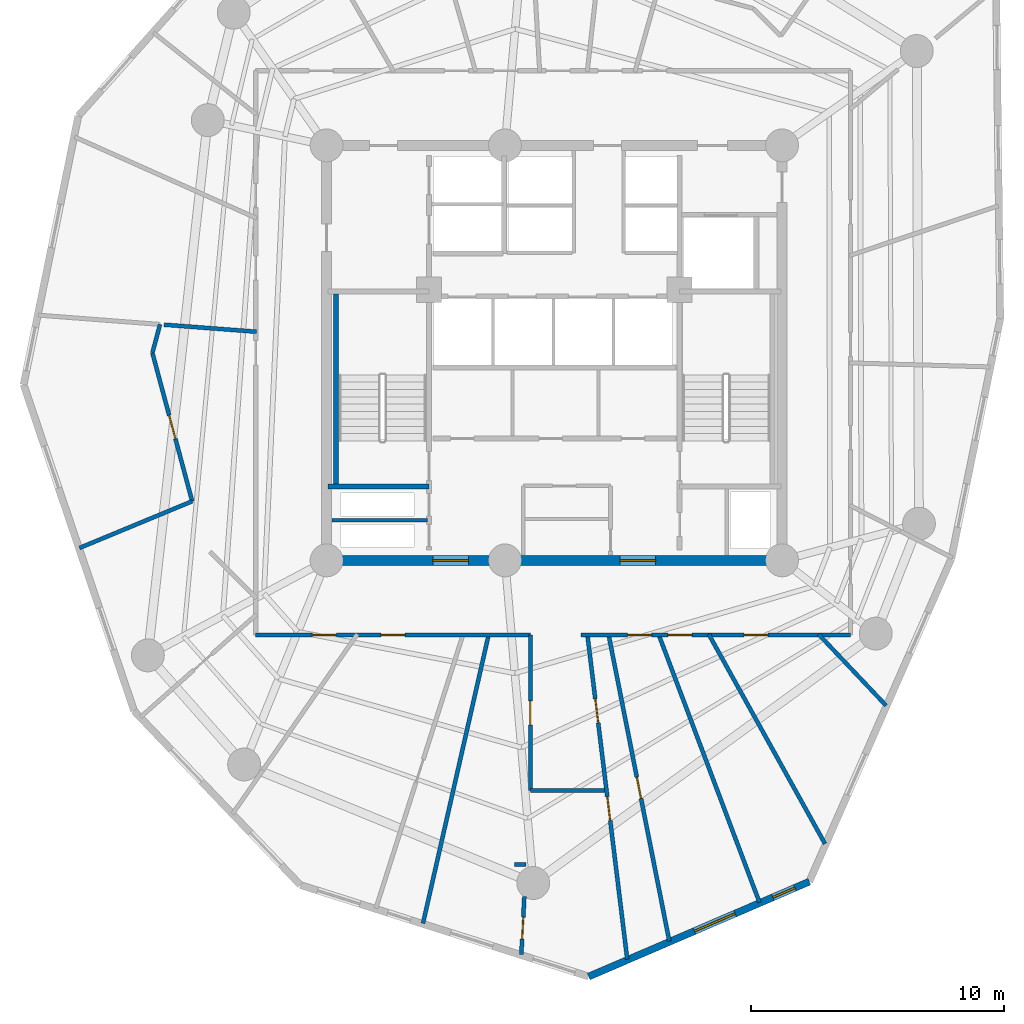
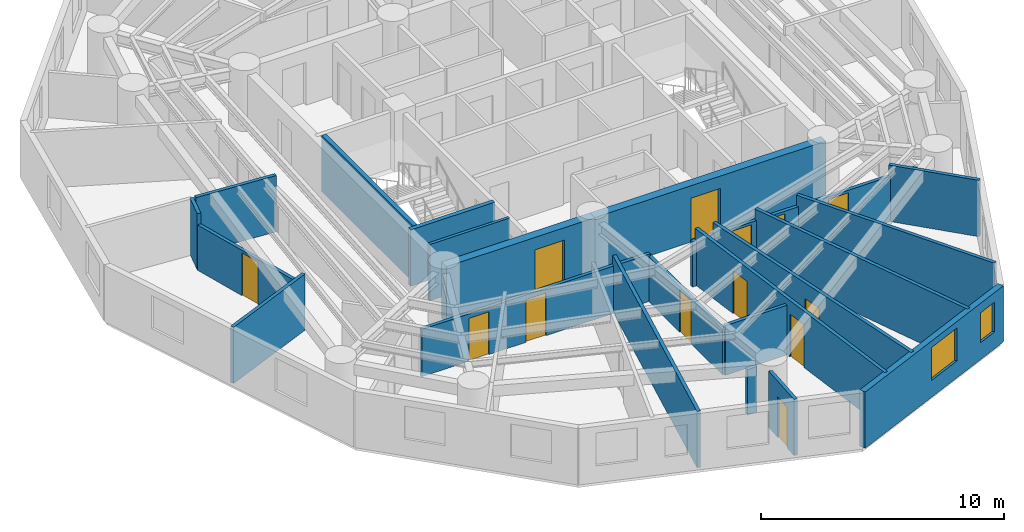
# One storey, part 3 of 8: 22 walls, 13 doors, 2 windows, 15 openings.
"""IFC4 building model written with IfcOpenShell, lengths in metres."""

from ifc_helpers import new_model, si_unit, direction, frame, frame_2d, origin, origin_with_axes, place, context, subcontext, project, spatial, rectangle, extrude, source, transform, mapped, material, layer, layer_set, type_object, element, fill, save


model = new_model("IFC4")

# Units and contexts
model_context = context("Model", 3, precision=1e-05, world=origin(), true_north=direction((0.0, 1.0)))
body_context = subcontext(model_context, "Body", "Model", "MODEL_VIEW")
ifc_project = project(units=[si_unit("LENGTHUNIT", "METRE"), si_unit("AREAUNIT", "SQUARE_METRE"), si_unit("VOLUMEUNIT", "CUBIC_METRE"), si_unit("PLANEANGLEUNIT", "RADIAN"), si_unit("MASSUNIT", "GRAM", prefix="KILO")], contexts=[model_context])

# Site, building, storey
site_placement = place(None, origin())
site = spatial("IfcSite", under=ifc_project, at=site_placement, CompositionType="ELEMENT")
building_placement = place(site_placement, origin())
building = spatial("IfcBuilding", under=site, at=building_placement, Name="Karkom Vertical University and Central Library", CompositionType="ELEMENT")
storey_placement = place(building_placement, frame((0.0, 0.0, 159.60009765625)))
storey = spatial("IfcBuildingStorey", under=building, at=storey_placement, Name="L45", CompositionType="ELEMENT", Elevation=159.60009765625)

# Wall, openings, windows
ifc_material_1 = material(Name="Brick-faced precast concrete C45/55", Category="masonry")
ifc_layer_1 = layer(ifc_material_1, 0.280029296875)
ifc_layer_set_1 = layer_set([ifc_layer_1], Name="Brick-faced precast concrete C45/55")
wall_type_1 = type_object("IfcWallType", Name="ENV-WL-BRK-280", PredefinedType="SOLIDWALL", material=ifc_layer_set_1)
wall_1_placement = place(storey_placement, frame((29.858642578125, 1.85009765625, 0.0), z_axis=(0.0, 0.0, 1.0), x_axis=(0.918558864139, 0.39528421814, 0.0)))
wall_1 = element("IfcWall", 1, at=wall_1_placement, inside=storey, type_object=wall_type_1, Name="Level 45 Brick-Faced Precast Facade Wall 05", PredefinedType="SOLIDWALL", context=body_context, shape_type="SweptSolid", body=[
    extrude(rectangle(XDim=9.49560546875, YDim=0.280029296875, at=frame_2d((4.747802734375, 0.0))), origin(), (0.0, 0.0, 1.0), 2.824951171875),
])
opening_1_placement = place(wall_1_placement, frame((4.549072265625, 0.0, 0.85009765625)))
opening_1 = element("IfcOpeningElement", 2, at=opening_1_placement, cuts=wall_1, Name="Opening WN-08", PredefinedType="OPENING", context=body_context, shape_type="SweptSolid", body=[
    extrude(rectangle(XDim=1.75, YDim=1.64990234375, at=frame_2d((0.875, 0.824951171875))), frame((0.0, 0.14990234375, 0.0), z_axis=(0.0, -1.0, 0.0), x_axis=(1.0, 0.0, 0.0)), (0.0, 0.0, 1.0), 0.300048828125),
])
opening_2_placement = place(wall_1_placement, frame((7.923095703125, 0.0, 0.85009765625)))
opening_2 = element("IfcOpeningElement", 3, at=opening_2_placement, cuts=wall_1, Name="Opening WN-12", PredefinedType="OPENING", context=body_context, shape_type="SweptSolid", body=[
    extrude(rectangle(XDim=0.949951171875, YDim=1.5, at=frame_2d((0.47509765625, 0.75))), frame((0.0, 0.14990234375, 0.0), z_axis=(0.0, -1.0, 0.0), x_axis=(1.0, 0.0, 0.0)), (0.0, 0.0, 1.0), 0.300048828125),
])
ifc_material_2 = material(Name="Aluminium thermal-break frame with solar-control IGU", Category="aluminium")
window_type_1 = type_object("IfcWindowType", Name="ENV-WIN-WN-12", PartitioningType="SINGLE_PANEL", PredefinedType="WINDOW", material=ifc_material_2)
shared_shape_1 = source(origin_with_axes(), body_context, "Body", "SweptSolid", [
    extrude(rectangle(XDim=0.949951171875, YDim=1.5, at=frame_2d((0.47509765625, 0.75))), frame((0.0, 0.030029296875, 0.0), z_axis=(0.0, -1.0, 0.0), x_axis=(1.0, 0.0, 0.0)), (0.0, 0.0, 1.0), 0.06005859375),
])
window_1_placement = place(opening_2_placement, origin())
window_1 = element("IfcWindow", 4, at=window_1_placement, inside=storey, type_object=window_type_1, Name="Level 45 Punched Window 5.2", OverallHeight=1.5, OverallWidth=0.949951171875, PartitioningType="SINGLE_PANEL", PredefinedType="WINDOW", context=body_context, shape_type="MappedRepresentation", body=[
    mapped(shared_shape_1, transform((0.0, 0.0, 0.0), scale=1.0)),
])
fill(opening_2, window_1)
window_type_2 = type_object("IfcWindowType", Name="ENV-WIN-WN-08", PartitioningType="SINGLE_PANEL", PredefinedType="WINDOW", material=ifc_material_2)
shared_shape_2 = source(origin_with_axes(), body_context, "Body", "SweptSolid", [
    extrude(rectangle(XDim=1.75, YDim=1.64990234375, at=frame_2d((0.875, 0.824951171875))), frame((0.0, 0.030029296875, 0.0), z_axis=(0.0, -1.0, 0.0), x_axis=(1.0, 0.0, 0.0)), (0.0, 0.0, 1.0), 0.06005859375),
])
window_2_placement = place(opening_1_placement, origin())
window_2 = element("IfcWindow", 5, at=window_2_placement, inside=storey, type_object=window_type_2, Name="Level 45 Punched Window 5.1", OverallHeight=1.64990234375, OverallWidth=1.75, PartitioningType="SINGLE_PANEL", PredefinedType="WINDOW", context=body_context, shape_type="MappedRepresentation", body=[
    mapped(shared_shape_2, transform((0.0, 0.0, 0.0), scale=1.0)),
])
fill(opening_1, window_2)

# Wall, openings, doors
ifc_material_3 = material(Name="Insulated metal-stud drywall 160mm", Category="gypsum")
ifc_layer_2 = layer(ifc_material_3, 0.159912109375)
ifc_layer_set_2 = layer_set([ifc_layer_2], Name="Insulated metal-stud drywall 160mm")
wall_type_2 = type_object("IfcWallType", Name="INT-WL-COR-160", PredefinedType="PARTITIONING", material=ifc_layer_set_2)
wall_2_placement = place(storey_placement, frame((29.804931640625, 15.3798828125, 0.0), z_axis=(0.0, 0.0, 1.0), x_axis=(0.121874998179, -0.992545457306, 0.0)))
wall_2 = element("IfcWall", 6, at=wall_2_placement, inside=storey, type_object=wall_type_2, Name="Level 45 Interior Partition Wall L45-PW-015", PredefinedType="PARTITIONING", context=body_context, shape_type="SweptSolid", body=[
    extrude(rectangle(XDim=12.940673828125, YDim=0.159912109375, at=frame_2d((6.47021484375, 0.0))), origin(), (0.0, 0.0, 1.0), 2.824951171875),
])
opening_3_placement = place(wall_2_placement, frame((2.57568359375, 0.0, 0.0)))
opening_3 = element("IfcOpeningElement", 7, at=opening_3_placement, cuts=wall_2, Name="Opening D-RM1", PredefinedType="OPENING", context=body_context, shape_type="SweptSolid", body=[
    extrude(rectangle(XDim=0.949951171875, YDim=2.14990234375, at=frame_2d((0.47509765625, 1.074951171875))), frame((0.0, 0.08984375, 0.0), z_axis=(0.0, -1.0, 0.0), x_axis=(1.0, 0.0, 0.0)), (0.0, 0.0, 1.0), 0.179931640625),
])
opening_4_placement = place(wall_2_placement, frame((6.4677734375, 0.0, 0.0)))
opening_4 = element("IfcOpeningElement", 8, at=opening_4_placement, cuts=wall_2, Name="Opening D-RM1", PredefinedType="OPENING", context=body_context, shape_type="SweptSolid", body=[
    extrude(rectangle(XDim=0.949951171875, YDim=2.14990234375, at=frame_2d((0.47509765625, 1.074951171875))), frame((0.0, 0.08984375, 0.0), z_axis=(0.0, -1.0, 0.0), x_axis=(1.0, 0.0, 0.0)), (0.0, 0.0, 1.0), 0.179931640625),
])
ifc_material_4 = material(Name="Solid-core oak veneer door", Category="wood")
door_type_1 = type_object("IfcDoorType", Name="INT-DR-RM1", OperationType="NOTDEFINED", PredefinedType="DOOR", material=ifc_material_4)
shared_shape_3 = source(origin_with_axes(), body_context, "Body", "SweptSolid", [
    extrude(rectangle(XDim=0.949951171875, YDim=2.14990234375, at=frame_2d((0.47509765625, 1.074951171875))), frame((0.0, 0.02490234375, 0.0), z_axis=(0.0, -1.0, 0.0), x_axis=(1.0, 0.0, 0.0)), (0.0, 0.0, 1.0), 0.050048828125),
])
door_1_placement = place(opening_3_placement, origin())
door_1 = element("IfcDoor", 9, at=door_1_placement, inside=storey, type_object=door_type_1, Name="Level 45 Room Entry Door 070", OperationType="SINGLE_SWING_LEFT", OverallHeight=2.14990234375, OverallWidth=0.949951171875, PredefinedType="DOOR", context=body_context, shape_type="MappedRepresentation", body=[
    mapped(shared_shape_3, transform((0.0, 0.0, 0.0), scale=1.0)),
])
fill(opening_3, door_1)
door_2_placement = place(opening_4_placement, origin())
door_2 = element("IfcDoor", 10, at=door_2_placement, inside=storey, type_object=door_type_1, Name="Level 45 Room Entry Door 080", OperationType="SINGLE_SWING_RIGHT", OverallHeight=2.14990234375, OverallWidth=0.949951171875, PredefinedType="DOOR", context=body_context, shape_type="MappedRepresentation", body=[
    mapped(shared_shape_3, transform((0.0, 0.0, 0.0), scale=1.0)),
])
fill(opening_4, door_2)

# Wall, opening, door
wall_3_placement = place(storey_placement, frame((30.64208984375, 15.37939453125, 0.0), z_axis=(0.0, 0.0, 1.0), x_axis=(0.194323630543, -0.980937473345, 0.0)))
wall_3 = element("IfcWall", 11, at=wall_3_placement, inside=storey, type_object=wall_type_2, Name="Level 45 Interior Partition Wall L45-PW-016", PredefinedType="PARTITIONING", context=body_context, shape_type="SweptSolid", body=[
    extrude(rectangle(XDim=12.364990234375, YDim=0.159912109375, at=frame_2d((6.1826171875, 0.0))), origin(), (0.0, 0.0, 1.0), 2.824951171875),
])
opening_5_placement = place(wall_3_placement, frame((5.75244140625, 0.0, 0.0)))
opening_5 = element("IfcOpeningElement", 12, at=opening_5_placement, cuts=wall_3, Name="Opening FD-BTH2", PredefinedType="OPENING", context=body_context, shape_type="SweptSolid", body=[
    extrude(rectangle(XDim=0.860107421875, YDim=2.0400390625, at=frame_2d((0.43017578125, 1.02001953125))), frame((0.0, 0.08984375, 0.0), z_axis=(0.0, -1.0, 0.0), x_axis=(1.0, 0.0, 0.0)), (0.0, 0.0, 1.0), 0.179931640625),
])
ifc_material_5 = material(Name="Fire-rated moisture-resistant oak door", Category="wood")
door_type_2 = type_object("IfcDoorType", Name="INT-DR-FBTH2", OperationType="NOTDEFINED", PredefinedType="DOOR", material=ifc_material_5)
shared_shape_4 = source(origin_with_axes(), body_context, "Body", "SweptSolid", [
    extrude(rectangle(XDim=0.860107421875, YDim=2.0400390625, at=frame_2d((0.43017578125, 1.02001953125))), frame((0.0, 0.02490234375, 0.0), z_axis=(0.0, -1.0, 0.0), x_axis=(1.0, 0.0, 0.0)), (0.0, 0.0, 1.0), 0.050048828125),
])
door_3_placement = place(opening_5_placement, origin())
door_3 = element("IfcDoor", 13, at=door_3_placement, inside=storey, type_object=door_type_2, Name="Level 45 Departmental Reference Reading Library Entry Door", OperationType="SINGLE_SWING_RIGHT", OverallHeight=2.0400390625, OverallWidth=0.860107421875, PredefinedType="DOOR", context=body_context, shape_type="MappedRepresentation", body=[
    mapped(shared_shape_4, transform((0.0, 0.0, 0.0), scale=1.0)),
])
fill(opening_5, door_3)

# Walls
wall_4_placement = place(storey_placement, frame((25.90869140625, 15.37939453125, 0.0), z_axis=(0.0, 0.0, 1.0), x_axis=(-0.221834548185, -0.975084321088, 0.0)))
element("IfcWall", 14, at=wall_4_placement, inside=storey, type_object=wall_type_2, Name="Level 45 Interior Partition Wall L45-PW-011", PredefinedType="PARTITIONING", context=body_context, shape_type="SweptSolid", body=[
    extrude(rectangle(XDim=11.716552734375, YDim=0.159912109375, at=frame_2d((5.8583984375, 0.0))), origin(), (0.0, 0.0, 1.0), 2.824951171875),
])
wall_5_placement = place(storey_placement, frame((32.620849609375, 15.378173828125, 0.0), z_axis=(0.0, 0.0, 1.0), x_axis=(0.352186655551, -0.935929783505, 0.0)))
element("IfcWall", 15, at=wall_5_placement, inside=storey, type_object=wall_type_2, Name="Level 45 Interior Partition Wall L45-PW-017", PredefinedType="PARTITIONING", context=body_context, shape_type="SweptSolid", body=[
    extrude(rectangle(XDim=11.321533203125, YDim=0.159912109375, at=frame_2d((5.66064453125, 0.0))), origin(), (0.0, 0.0, 1.0), 2.824951171875),
])

# Wall, openings, doors
wall_6_placement = place(storey_placement, frame((27.550048828125, 15.35009765625, 0.0), z_axis=(0.0, 0.0, 1.0), x_axis=(-1.0, 0.0, 0.0)))
wall_6 = element("IfcWall", 16, at=wall_6_placement, inside=storey, type_object=wall_type_2, Name="Level 45 Interior Partition Wall L45-CORW-CW-001", PredefinedType="PARTITIONING", context=body_context, shape_type="SweptSolid", body=[
    extrude(rectangle(XDim=10.85009765625, YDim=0.159912109375, at=frame_2d((5.425048828125, 0.0))), origin(), (0.0, 0.0, 1.0), 2.375),
])
opening_6_placement = place(wall_6_placement, frame((7.66259765625, 0.0, 0.0)))
opening_6 = element("IfcOpeningElement", 17, at=opening_6_placement, cuts=wall_6, Name="Opening D-RM1", PredefinedType="OPENING", context=body_context, shape_type="SweptSolid", body=[
    extrude(rectangle(XDim=0.949951171875, YDim=2.14990234375, at=frame_2d((0.47509765625, 1.074951171875))), frame((0.0, 0.08984375, 0.0), z_axis=(0.0, -1.0, 0.0), x_axis=(1.0, 0.0, 0.0)), (0.0, 0.0, 1.0), 0.179931640625),
])
opening_7_placement = place(wall_6_placement, frame((4.949951171875, 0.0, 0.0)))
opening_7 = element("IfcOpeningElement", 18, at=opening_7_placement, cuts=wall_6, Name="Opening D-RM1", PredefinedType="OPENING", context=body_context, shape_type="SweptSolid", body=[
    extrude(rectangle(XDim=0.949951171875, YDim=2.14990234375, at=frame_2d((0.47509765625, 1.074951171875))), frame((0.0, 0.08984375, 0.0), z_axis=(0.0, -1.0, 0.0), x_axis=(1.0, 0.0, 0.0)), (0.0, 0.0, 1.0), 0.179931640625),
])
door_4_placement = place(opening_6_placement, origin())
door_4 = element("IfcDoor", 19, at=door_4_placement, inside=storey, type_object=door_type_1, Name="Level 45 Room Entry Door 030", OperationType="SINGLE_SWING_RIGHT", OverallHeight=2.14990234375, OverallWidth=0.949951171875, PredefinedType="DOOR", context=body_context, shape_type="MappedRepresentation", body=[
    mapped(shared_shape_3, transform((0.0, 0.0, 0.0), scale=1.0)),
])
fill(opening_6, door_4)
door_5_placement = place(opening_7_placement, origin())
door_5 = element("IfcDoor", 20, at=door_5_placement, inside=storey, type_object=door_type_1, Name="Level 45 Room Entry Door 040", OperationType="SINGLE_SWING_LEFT", OverallHeight=2.14990234375, OverallWidth=0.949951171875, PredefinedType="DOOR", context=body_context, shape_type="MappedRepresentation", body=[
    mapped(shared_shape_3, transform((0.0, 0.0, 0.0), scale=1.0)),
])
fill(opening_7, door_5)

wall_7_placement = place(storey_placement, frame((40.199951171875, 15.35009765625, 0.0), z_axis=(0.0, 0.0, 1.0), x_axis=(-1.0, 0.0, 0.0)))
wall_7 = element("IfcWall", 21, at=wall_7_placement, inside=storey, type_object=wall_type_2, Name="Level 45 Interior Partition Wall L45-CORW-CW-005", PredefinedType="PARTITIONING", context=body_context, shape_type="SweptSolid", body=[
    extrude(rectangle(XDim=10.64990234375, YDim=0.159912109375, at=frame_2d((5.324951171875, 0.0))), origin(), (0.0, 0.0, 1.0), 2.27490234375),
])
opening_8_placement = place(wall_7_placement, frame((7.8525390625, 0.0, 0.0)))
opening_8 = element("IfcOpeningElement", 22, at=opening_8_placement, cuts=wall_7, Name="Opening D-RM1", PredefinedType="OPENING", context=body_context, shape_type="SweptSolid", body=[
    extrude(rectangle(XDim=0.949951171875, YDim=2.14990234375, at=frame_2d((0.47509765625, 1.074951171875))), frame((0.0, 0.08984375, 0.0), z_axis=(0.0, -1.0, 0.0), x_axis=(1.0, 0.0, 0.0)), (0.0, 0.0, 1.0), 0.179931640625),
])
opening_9_placement = place(wall_7_placement, frame((6.257568359375, 0.0, 0.0)))
opening_9 = element("IfcOpeningElement", 23, at=opening_9_placement, cuts=wall_7, Name="Opening D-RM1", PredefinedType="OPENING", context=body_context, shape_type="SweptSolid", body=[
    extrude(rectangle(XDim=0.949951171875, YDim=2.14990234375, at=frame_2d((0.47509765625, 1.074951171875))), frame((0.0, 0.08984375, 0.0), z_axis=(0.0, -1.0, 0.0), x_axis=(1.0, 0.0, 0.0)), (0.0, 0.0, 1.0), 0.179931640625),
])
opening_10_placement = place(wall_7_placement, frame((3.25244140625, 0.0, 0.0)))
opening_10 = element("IfcOpeningElement", 24, at=opening_10_placement, cuts=wall_7, Name="Opening D-RM1", PredefinedType="OPENING", context=body_context, shape_type="SweptSolid", body=[
    extrude(rectangle(XDim=0.949951171875, YDim=2.14990234375, at=frame_2d((0.47509765625, 1.074951171875))), frame((0.0, 0.08984375, 0.0), z_axis=(0.0, -1.0, 0.0), x_axis=(1.0, 0.0, 0.0)), (0.0, 0.0, 1.0), 0.179931640625),
])
door_6_placement = place(opening_8_placement, origin())
door_6 = element("IfcDoor", 25, at=door_6_placement, inside=storey, type_object=door_type_1, Name="Level 45 Room Entry Door 090", OperationType="SINGLE_SWING_RIGHT", OverallHeight=2.14990234375, OverallWidth=0.949951171875, PredefinedType="DOOR", context=body_context, shape_type="MappedRepresentation", body=[
    mapped(shared_shape_3, transform((0.0, 0.0, 0.0), scale=1.0)),
])
fill(opening_8, door_6)
door_7_placement = place(opening_9_placement, origin())
door_7 = element("IfcDoor", 26, at=door_7_placement, inside=storey, type_object=door_type_1, Name="Level 45 Room Entry Door 100", OperationType="SINGLE_SWING_LEFT", OverallHeight=2.14990234375, OverallWidth=0.949951171875, PredefinedType="DOOR", context=body_context, shape_type="MappedRepresentation", body=[
    mapped(shared_shape_3, transform((0.0, 0.0, 0.0), scale=1.0)),
])
fill(opening_9, door_7)
door_8_placement = place(opening_10_placement, origin())
door_8 = element("IfcDoor", 27, at=door_8_placement, inside=storey, type_object=door_type_1, Name="Level 45 Room Entry Door 110", OperationType="SINGLE_SWING_RIGHT", OverallHeight=2.14990234375, OverallWidth=0.949951171875, PredefinedType="DOOR", context=body_context, shape_type="MappedRepresentation", body=[
    mapped(shared_shape_3, transform((0.0, 0.0, 0.0), scale=1.0)),
])
fill(opening_10, door_8)

# Wall
wall_8_placement = place(storey_placement, frame((34.59716796875, 15.389404296875, 0.0), z_axis=(0.0, 0.0, 1.0), x_axis=(0.485233991838, -0.874384339501, 0.0)))
element("IfcWall", 28, at=wall_8_placement, inside=storey, type_object=wall_type_2, Name="Level 45 Interior Partition Wall L45-PW-018", PredefinedType="PARTITIONING", context=body_context, shape_type="SweptSolid", body=[
    extrude(rectangle(XDim=9.480224609375, YDim=0.159912109375, at=frame_2d((4.740234375, 0.0))), origin(), (0.0, 0.0, 1.0), 2.824951171875),
])

# Wall, opening, door
wall_9_placement = place(storey_placement, frame((27.550048828125, 9.199951171875, 0.0), z_axis=(0.0, 0.0, 1.0), x_axis=(0.0, 1.0, 0.0)))
wall_9 = element("IfcWall", 29, at=wall_9_placement, inside=storey, type_object=wall_type_2, Name="Level 45 Interior Partition Wall L45-CORW-CW-008", PredefinedType="PARTITIONING", context=body_context, shape_type="SweptSolid", body=[
    extrude(rectangle(XDim=6.150146484375, YDim=0.159912109375, at=frame_2d((3.0751953125, 0.0))), origin(), (0.0, 0.0, 1.0), 2.27490234375),
])
opening_11_placement = place(wall_9_placement, frame((2.60009765625, 0.0, 0.0)))
opening_11 = element("IfcOpeningElement", 30, at=opening_11_placement, cuts=wall_9, Name="Opening D-RM1", PredefinedType="OPENING", context=body_context, shape_type="SweptSolid", body=[
    extrude(rectangle(XDim=0.949951171875, YDim=2.14990234375, at=frame_2d((0.47509765625, 1.074951171875))), frame((0.0, 0.08984375, 0.0), z_axis=(0.0, -1.0, 0.0), x_axis=(1.0, 0.0, 0.0)), (0.0, 0.0, 1.0), 0.179931640625),
])
door_9_placement = place(opening_11_placement, origin())
door_9 = element("IfcDoor", 31, at=door_9_placement, inside=storey, type_object=door_type_1, Name="Level 45 Room Entry Door 060", OperationType="SINGLE_SWING_RIGHT", OverallHeight=2.14990234375, OverallWidth=0.949951171875, PredefinedType="DOOR", context=body_context, shape_type="MappedRepresentation", body=[
    mapped(shared_shape_3, transform((0.0, 0.0, 0.0), scale=1.0)),
])
fill(opening_11, door_9)

wall_10_placement = place(storey_placement, frame((12.6171875, 26.5, 0.0), z_axis=(0.0, 0.0, 1.0), x_axis=(0.25881111479, -0.965927951175, 0.0)))
wall_10 = element("IfcWall", 32, at=wall_10_placement, inside=storey, type_object=wall_type_2, Name="Level 45 Interior Partition Wall L45-PW-002", PredefinedType="PARTITIONING", context=body_context, shape_type="SweptSolid", body=[
    extrude(rectangle(XDim=6.072021484375, YDim=0.159912109375, at=frame_2d((3.0361328125, 0.0))), origin(), (0.0, 0.0, 1.0), 2.27490234375),
])
opening_12_placement = place(wall_10_placement, frame((2.56103515625, 0.0, 0.0)))
opening_12 = element("IfcOpeningElement", 33, at=opening_12_placement, cuts=wall_10, Name="Opening D-RM1", PredefinedType="OPENING", context=body_context, shape_type="SweptSolid", body=[
    extrude(rectangle(XDim=0.949951171875, YDim=2.14990234375, at=frame_2d((0.47509765625, 1.074951171875))), frame((0.0, 0.08984375, 0.0), z_axis=(0.0, -1.0, 0.0), x_axis=(1.0, 0.0, 0.0)), (0.0, 0.0, 1.0), 0.179931640625),
])
door_10_placement = place(opening_12_placement, origin())
door_10 = element("IfcDoor", 34, at=door_10_placement, inside=storey, type_object=door_type_1, Name="Level 45 Room Entry Door 000", OperationType="SINGLE_SWING_LEFT", OverallHeight=2.14990234375, OverallWidth=0.949951171875, PredefinedType="DOOR", context=body_context, shape_type="MappedRepresentation", body=[
    mapped(shared_shape_3, transform((0.0, 0.0, 0.0), scale=1.0)),
])
fill(opening_12, door_10)

# Walls
wall_11_placement = place(storey_placement, frame((14.188720703125, 20.634765625, 0.0), z_axis=(0.0, 0.0, 1.0), x_axis=(-0.923845218735, -0.382766262647, 0.0)))
element("IfcWall", 35, at=wall_11_placement, inside=storey, type_object=wall_type_2, Name="Level 45 Interior Partition Wall L45-PW-003", PredefinedType="PARTITIONING", context=body_context, shape_type="SweptSolid", body=[
    extrude(rectangle(XDim=4.82080078125, YDim=0.159912109375, at=frame_2d((2.410400390625, 0.0))), origin(), (0.0, 0.0, 1.0), 2.824951171875),
])
wall_12_placement = place(storey_placement, frame((38.940185546875, 15.3828125, 0.0), z_axis=(0.0, 0.0, 1.0), x_axis=(0.687409701616, -0.726269854891, 0.0)))
element("IfcWall", 36, at=wall_12_placement, inside=storey, type_object=wall_type_2, Name="Level 45 Interior Partition Wall L45-PW-019", PredefinedType="PARTITIONING", context=body_context, shape_type="SweptSolid", body=[
    extrude(rectangle(XDim=3.882568359375, YDim=0.159912109375, at=frame_2d((1.94140625, 0.0))), origin(), (0.0, 0.0, 1.0), 2.824951171875),
])
wall_13_placement = place(storey_placement, frame((13.0810546875, 27.612548828125, 0.0), z_axis=(0.0, 0.0, 1.0), x_axis=(0.997123926588, -0.075788356791, 0.0)))
element("IfcWall", 37, at=wall_13_placement, inside=storey, type_object=wall_type_2, Name="Level 45 Interior Partition Wall L45-PW-006", PredefinedType="PARTITIONING", context=body_context, shape_type="SweptSolid", body=[
    extrude(rectangle(XDim=3.659423828125, YDim=0.159912109375, at=frame_2d((1.82958984375, 0.0))), origin(), (0.0, 0.0, 1.0), 2.824951171875),
])

# Wall, opening, door
wall_14_placement = place(storey_placement, frame((27.316162109375, 5.0224609375, 0.0), z_axis=(0.0, 0.0, 1.0), x_axis=(-0.052280534333, -0.998632437752, 0.0)))
wall_14 = element("IfcWall", 38, at=wall_14_placement, inside=storey, type_object=wall_type_2, Name="Level 45 Interior Partition Wall L45-PW-014", PredefinedType="PARTITIONING", context=body_context, shape_type="SweptSolid", body=[
    extrude(rectangle(XDim=2.30224609375, YDim=0.159912109375, at=frame_2d((1.151123046875, 0.0))), origin(), (0.0, 0.0, 1.0), 2.824951171875),
])
opening_13_placement = place(wall_14_placement, frame((0.827880859375, 0.0, 0.0)))
opening_13 = element("IfcOpeningElement", 39, at=opening_13_placement, cuts=wall_14, Name="Opening FD-BTH2", PredefinedType="OPENING", context=body_context, shape_type="SweptSolid", body=[
    extrude(rectangle(XDim=0.860107421875, YDim=2.0400390625, at=frame_2d((0.43017578125, 1.02001953125))), frame((0.0, 0.08984375, 0.0), z_axis=(0.0, -1.0, 0.0), x_axis=(1.0, 0.0, 0.0)), (0.0, 0.0, 1.0), 0.179931640625),
])
door_11_placement = place(opening_13_placement, origin())
door_11 = element("IfcDoor", 40, at=door_11_placement, inside=storey, type_object=door_type_2, Name="Level 45 Departmental Reference Reading Library Entry Door", OperationType="SINGLE_SWING_LEFT", OverallHeight=2.0400390625, OverallWidth=0.860107421875, PredefinedType="DOOR", context=body_context, shape_type="MappedRepresentation", body=[
    mapped(shared_shape_4, transform((0.0, 0.0, 0.0), scale=1.0)),
])
fill(opening_13, door_11)

# Walls
wall_15_placement = place(storey_placement, frame((30.47607421875, 9.199951171875, 0.0), z_axis=(0.0, 0.0, 1.0), x_axis=(-1.0, 0.0, 0.0)))
element("IfcWall", 41, at=wall_15_placement, inside=storey, type_object=wall_type_2, Name="Level 45 Interior Partition Wall L45-CORW-CW-007", PredefinedType="PARTITIONING", context=body_context, shape_type="SweptSolid", body=[
    extrude(rectangle(XDim=2.926025390625, YDim=0.159912109375, at=frame_2d((1.462890625, 0.0))), origin(), (0.0, 0.0, 1.0), 2.494873046875),
])
wall_16_placement = place(storey_placement, frame((12.918701171875, 27.625, 0.0), z_axis=(0.0, 0.0, 1.0), x_axis=(-0.258875784953, -0.965910621106, 0.0)))
element("IfcWall", 42, at=wall_16_placement, inside=storey, type_object=wall_type_2, Name="Level 45 Interior Partition Wall L45-PW-001", PredefinedType="PARTITIONING", context=body_context, shape_type="SweptSolid", body=[
    extrude(rectangle(XDim=1.164794921875, YDim=0.159912109375, at=frame_2d((0.58251953125, 0.0))), origin(), (0.0, 0.0, 1.0), 2.824951171875),
])
wall_17_placement = place(storey_placement, frame((27.38232421875, 6.2890625, 0.0), z_axis=(0.0, 0.0, 1.0), x_axis=(-1.0, 0.0, 0.0)))
element("IfcWall", 43, at=wall_17_placement, inside=storey, type_object=wall_type_2, Name="Level 45 Interior Partition Wall L45-PW-013", PredefinedType="PARTITIONING", context=body_context, shape_type="SweptSolid", body=[
    extrude(rectangle(XDim=0.456298828125, YDim=0.159912109375, at=frame_2d((0.22802734375, 0.0))), origin(), (0.0, 0.0, 1.0), 2.27490234375),
])
ifc_material_6 = material(Name="Metal-stud gypsum partition 140mm", Category="gypsum")
ifc_layer_3 = layer(ifc_material_6, 0.139892578125)
ifc_layer_set_3 = layer_set([ifc_layer_3], Name="Metal-stud gypsum partition 140mm")
wall_type_3 = type_object("IfcWallType", Name="INT-WL-SUB-140H", PredefinedType="PARTITIONING", material=ifc_layer_set_3)
wall_18_placement = place(storey_placement, frame((19.70703125, 19.889892578125, 0.0), z_axis=(0.0, 0.0, 1.0), x_axis=(1.0, 0.0, 0.0)))
element("IfcWall", 44, at=wall_18_placement, inside=storey, type_object=wall_type_3, Name="Level 45 Interior Partition Wall L45-CW-RIS-W", PredefinedType="PARTITIONING", context=body_context, shape_type="SweptSolid", body=[
    extrude(rectangle(XDim=3.789794921875, YDim=0.139892578125, at=frame_2d((1.89501953125, 0.0))), origin(), (0.0, 0.0, 1.0), 2.824951171875),
])

# Wall, opening, door
ifc_material_7 = material(Name="Concrete C50/60", Category="concrete")
ifc_layer_4 = layer(ifc_material_7, 0.39990234375)
ifc_layer_set_4 = layer_set([ifc_layer_4], Name="Concrete C50/60")
wall_type_4 = type_object("IfcWallType", Name="STR-WL-CW-400", PredefinedType="SHEAR", material=ifc_layer_set_4)
wall_19_placement = place(storey_placement, frame((19.5, 18.300048828125, 0.0), z_axis=(0.0, 0.0, 1.0), x_axis=(1.0, 0.0, 0.0)))
wall_19 = element("IfcWall", 45, at=wall_19_placement, inside=storey, type_object=wall_type_4, Name="Level 45 Central Core Shear Wall SW1", PredefinedType="SHEAR", context=body_context, shape_type="SweptSolid", body=[
    extrude(rectangle(XDim=7.050048828125, YDim=0.39990234375, at=frame_2d((3.52490234375, 0.0))), origin(), (0.0, 0.0, 1.0), 2.824951171875),
])
opening_14_placement = place(wall_19_placement, frame((4.199951171875, 0.0, 0.0)))
opening_14 = element("IfcOpeningElement", 46, at=opening_14_placement, cuts=wall_19, Name="Opening FD-CLB", PredefinedType="OPENING", context=body_context, shape_type="SweptSolid", body=[
    extrude(rectangle(XDim=1.39990234375, YDim=2.199951171875, at=frame_2d((0.699951171875, 1.10009765625))), frame((0.0, 0.2099609375, 0.0), z_axis=(0.0, -1.0, 0.0), x_axis=(1.0, 0.0, 0.0)), (0.0, 0.0, 1.0), 0.419921875),
])
ifc_material_8 = material(Name="Painted steel fire door", Category="steel")
door_type_3 = type_object("IfcDoorType", Name="INT-DR-CLB", OperationType="DOUBLE_DOOR_SINGLE_SWING", PredefinedType="DOOR", material=ifc_material_8)
shared_shape_5 = source(origin_with_axes(), body_context, "Body", "SweptSolid", [
    extrude(rectangle(XDim=1.39990234375, YDim=2.199951171875, at=frame_2d((0.699951171875, 1.10009765625))), frame((0.0, 0.02490234375, 0.0), z_axis=(0.0, -1.0, 0.0), x_axis=(1.0, 0.0, 0.0)), (0.0, 0.0, 1.0), 0.050048828125),
])
door_12_placement = place(opening_14_placement, origin())
door_12 = element("IfcDoor", 47, at=door_12_placement, inside=storey, type_object=door_type_3, Name="Level 45 South Core Lobby West Exit Door", OperationType="DOUBLE_DOOR_SINGLE_SWING", OverallHeight=2.199951171875, OverallWidth=1.39990234375, PredefinedType="DOOR", context=body_context, shape_type="MappedRepresentation", body=[
    mapped(shared_shape_5, transform((0.0, 0.0, 0.0), scale=1.0)),
])
fill(opening_14, door_12)

wall_20_placement = place(storey_placement, frame((26.550048828125, 18.300048828125, 0.0), z_axis=(0.0, 0.0, 1.0), x_axis=(1.0, 0.0, 0.0)))
wall_20 = element("IfcWall", 48, at=wall_20_placement, inside=storey, type_object=wall_type_4, Name="Level 45 Central Core Shear Wall SW2", PredefinedType="SHEAR", context=body_context, shape_type="SweptSolid", body=[
    extrude(rectangle(XDim=10.949951171875, YDim=0.39990234375, at=frame_2d((5.47509765625, 0.0))), origin(), (0.0, 0.0, 1.0), 2.824951171875),
])
opening_15_placement = place(wall_20_placement, frame((4.550048828125, 0.0, 0.0)))
opening_15 = element("IfcOpeningElement", 49, at=opening_15_placement, cuts=wall_20, Name="Opening FD-CLB", PredefinedType="OPENING", context=body_context, shape_type="SweptSolid", body=[
    extrude(rectangle(XDim=1.39990234375, YDim=2.199951171875, at=frame_2d((0.699951171875, 1.10009765625))), frame((0.0, 0.2099609375, 0.0), z_axis=(0.0, -1.0, 0.0), x_axis=(1.0, 0.0, 0.0)), (0.0, 0.0, 1.0), 0.419921875),
])
door_13_placement = place(opening_15_placement, origin())
door_13 = element("IfcDoor", 50, at=door_13_placement, inside=storey, type_object=door_type_3, Name="Level 45 South Core Lobby East Exit Door", OperationType="DOUBLE_DOOR_SINGLE_SWING", OverallHeight=2.199951171875, OverallWidth=1.39990234375, PredefinedType="DOOR", context=body_context, shape_type="MappedRepresentation", body=[
    mapped(shared_shape_5, transform((0.0, 0.0, 0.0), scale=1.0)),
])
fill(opening_15, door_13)

# Walls
ifc_material_9 = material(Name="Concrete C45/55", Category="concrete")
ifc_layer_5 = layer(ifc_material_9, 0.199951171875)
ifc_layer_set_5 = layer_set([ifc_layer_5], Name="Concrete C45/55")
wall_type_5 = type_object("IfcWallType", Name="STR-WL-ST-200", PredefinedType="SHEAR", material=ifc_layer_set_5)
wall_21_placement = place(storey_placement, frame((19.875, 21.320068359375, 0.0), z_axis=(0.0, 0.0, 1.0), x_axis=(0.0, 1.0, 0.0)))
element("IfcWall", 51, at=wall_21_placement, inside=storey, type_object=wall_type_5, Name="Level 45 Core Shaft Wall L45-CW-ST1-W", PredefinedType="SHEAR", context=body_context, shape_type="SweptSolid", body=[
    extrude(rectangle(XDim=7.5, YDim=0.199951171875, at=frame_2d((3.75, 0.0))), origin(), (0.0, 0.0, 1.0), 2.824951171875),
])
wall_22_placement = place(storey_placement, frame((19.550048828125, 21.215087890625, 0.0), z_axis=(0.0, 0.0, 1.0), x_axis=(1.0, 0.0, 0.0)))
element("IfcWall", 52, at=wall_22_placement, inside=storey, type_object=wall_type_5, Name="Level 45 Core Shaft Wall L45-CW-ST1-S", PredefinedType="SHEAR", context=body_context, shape_type="SweptSolid", body=[
    extrude(rectangle(XDim=3.994873046875, YDim=0.199951171875, at=frame_2d((1.99755859375, 0.0))), origin(), (0.0, 0.0, 1.0), 2.824951171875),
])

save(model, "model.ifc")
